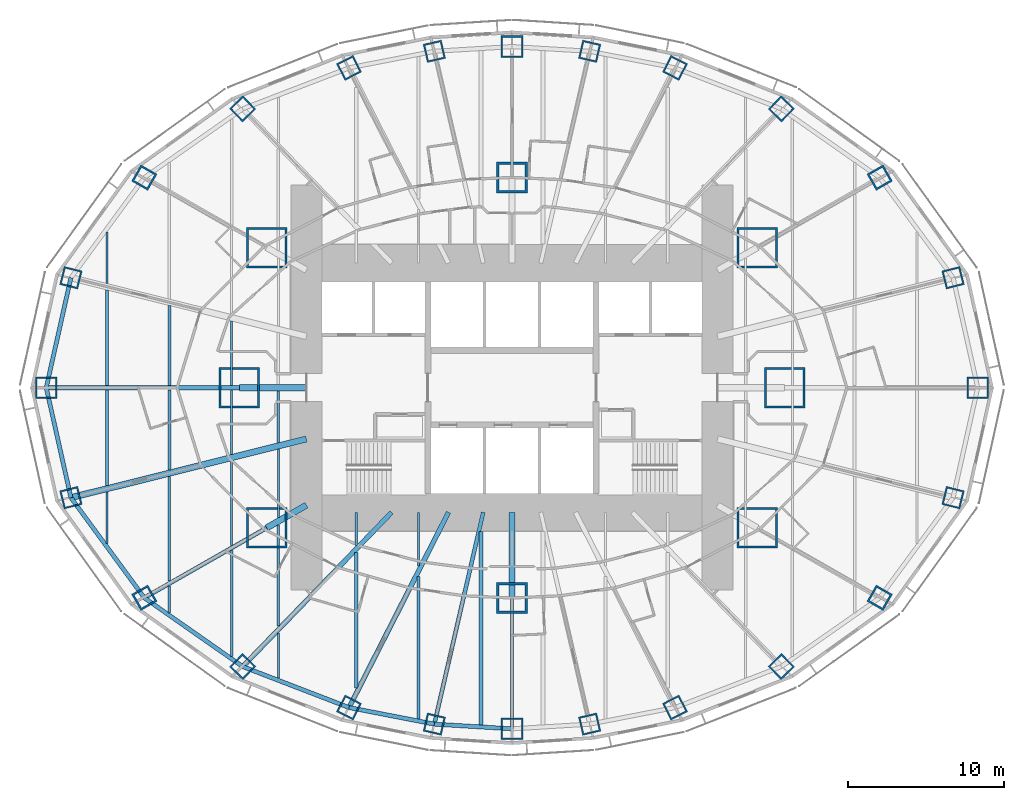
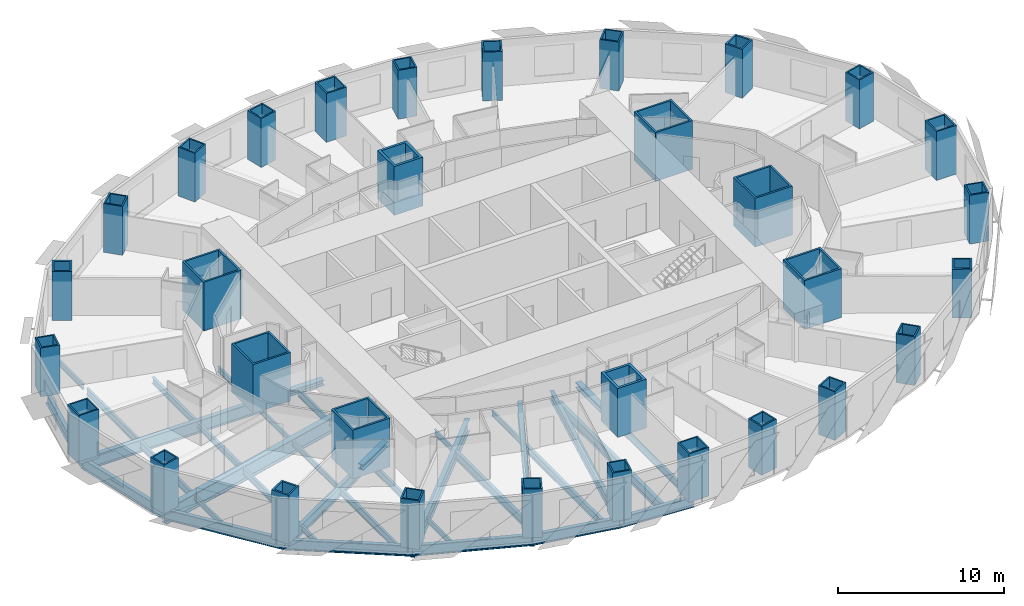
# One storey, part 1 of 15: 38 beams, 32 columns.
"""IFC4 building model written with IfcOpenShell, lengths in metres."""

from ifc_helpers import new_model, si_unit, direction, frame, origin, origin_2d, place, context, subcontext, project, spatial, rectangle, hollow_rectangle, i_section, extrude, material, material_profile, profile_set, type_object, element, save


model = new_model("IFC4")

# Units and contexts
model_context = context("Model", 3, precision=1e-05, world=origin(), true_north=direction((0.0, 1.0)))
body_context = subcontext(model_context, "Body", "Model", "MODEL_VIEW")
ifc_project = project(units=[si_unit("LENGTHUNIT", "METRE"), si_unit("AREAUNIT", "SQUARE_METRE"), si_unit("VOLUMEUNIT", "CUBIC_METRE"), si_unit("PLANEANGLEUNIT", "RADIAN"), si_unit("MASSUNIT", "GRAM", prefix="KILO")], contexts=[model_context])

# Site, building, storey
site_placement = place(None, origin())
site = spatial("IfcSite", under=ifc_project, at=site_placement, CompositionType="ELEMENT")
building_placement = place(site_placement, origin())
building = spatial("IfcBuilding", under=site, at=building_placement, Name="Lantaw Convention Tower", CompositionType="ELEMENT")
storey_placement = place(building_placement, frame((0.0, 0.0, 55.0)))
storey = spatial("IfcBuildingStorey", under=building, at=storey_placement, Name="L11", CompositionType="ELEMENT", Elevation=55.0)

# Columns
ifc_material_1 = material(Name="Steel EN 10025-3 S460N", Category="steel")
ifc_material_profile_1 = material_profile(ifc_material_1, hollow_rectangle(XDim=2.0, YDim=2.0, WallThickness=0.169921875, at=origin_2d()), Name="BOX2000X170")
ifc_material_2 = material(Name="Concrete C60/75", Category="concrete")
ifc_material_profile_2 = material_profile(ifc_material_2, rectangle(XDim=1.659912109375, YDim=1.659912109375, at=origin_2d()), Name="Concrete fill of BOX2000X170")
ifc_profile_set_1 = profile_set([ifc_material_profile_1, ifc_material_profile_2], Name="Steel EN 10025-3 S460N")
column_type_1 = type_object("IfcColumnType", Name="Column MC BOX2000X170", PredefinedType="COLUMN", material=ifc_profile_set_1)
for number, where, z_axis, x_axis, name in (
    (1, (0.0, 13.5, 0.0), (0.0, 0.0, 1.0), (1.0, 0.0, 0.0), "Mega column M3"),
    (2, (0.0, -13.5, 0.0), (0.0, 0.0, 1.0), (1.0, 0.0, 0.0), "Mega column M7"),
):
    element("IfcColumn", number, at=place(storey_placement, frame(where, z_axis=z_axis, x_axis=x_axis)), inside=storey, type_object=column_type_1, Name=name, PredefinedType="COLUMN", context=body_context, shape_type="SweptSolid", body=[
        extrude(hollow_rectangle(XDim=2.0, YDim=2.0, WallThickness=0.169921875, at=origin_2d()), origin(), (0.0, 0.0, 1.0), 3.60009765625),
    ])
ifc_material_profile_3 = material_profile(ifc_material_1, hollow_rectangle(XDim=2.60009765625, YDim=2.60009765625, WallThickness=0.1298828125, at=origin_2d()), Name="BOX2600X130")
ifc_material_profile_4 = material_profile(ifc_material_2, rectangle(XDim=2.340087890625, YDim=2.340087890625, at=origin_2d()), Name="Concrete fill of BOX2600X130")
ifc_profile_set_2 = profile_set([ifc_material_profile_3, ifc_material_profile_4], Name="Steel EN 10025-3 S460N")
column_type_2 = type_object("IfcColumnType", Name="Column MC BOX2600X130", PredefinedType="COLUMN", material=ifc_profile_set_2)
for number, where, z_axis, x_axis, name in (
    (3, (17.5, 0.0, 0.0), (0.0, 0.0, 1.0), (1.0, 0.0, 0.0), "Mega column M1"),
    (4, (15.75, 9.0, 0.0), (0.0, 0.0, 1.0), (1.0, 0.0, 0.0), "Mega column M2"),
    (5, (-15.75, 9.0, 0.0), (0.0, 0.0, 1.0), (1.0, 0.0, 0.0), "Mega column M4"),
    (6, (-17.5, 0.0, 0.0), (0.0, 0.0, 1.0), (1.0, 0.0, 0.0), "Mega column M5"),
    (7, (-15.75, -9.0, 0.0), (0.0, 0.0, 1.0), (1.0, 0.0, 0.0), "Mega column M6"),
    (8, (15.75, -9.0, 0.0), (0.0, 0.0, 1.0), (1.0, 0.0, 0.0), "Mega column M8"),
):
    element("IfcColumn", number, at=place(storey_placement, frame(where, z_axis=z_axis, x_axis=x_axis)), inside=storey, type_object=column_type_2, Name=name, PredefinedType="COLUMN", context=body_context, shape_type="SweptSolid", body=[
        extrude(hollow_rectangle(XDim=2.60009765625, YDim=2.60009765625, WallThickness=0.1298828125, at=origin_2d()), origin(), (0.0, 0.0, 1.0), 3.60009765625),
    ])
ifc_material_profile_5 = material_profile(ifc_material_1, hollow_rectangle(XDim=1.199951171875, YDim=1.199951171875, WallThickness=0.10009765625, at=origin_2d()), Name="BOX1200X100")
ifc_material_profile_6 = material_profile(ifc_material_2, rectangle(XDim=1.0, YDim=1.0, at=origin_2d()), Name="Concrete fill of BOX1200X100")
ifc_profile_set_3 = profile_set([ifc_material_profile_5, ifc_material_profile_6], Name="Steel EN 10025-3 S460N")
column_type_3 = type_object("IfcColumnType", Name="Column PC BOX1200X100", PredefinedType="COLUMN", material=ifc_profile_set_3)
for number, where, z_axis, x_axis, name in (
    (9, (28.31787109375, 7.060302734375, 0.0), (0.0, 0.0, 1.0), (0.970295726276, 0.2419218956, 0.0), "Perimeter column P2"),
    (10, (17.290771484375, 17.9052734375, 0.0), (0.0, 0.0, 1.0), (0.694658370459, 0.719339800339, 0.0), "Perimeter column P4"),
    (11, (10.462646484375, 20.533935546875, 0.0), (0.0, 0.0, 1.0), (0.45399049974, 0.891006524188, 0.0), "Perimeter column P5"),
    (12, (4.986328125, 21.59814453125, 0.0), (0.0, 0.0, 1.0), (0.224951054344, 0.974370064785, 0.0), "Perimeter column P6"),
    (13, (-4.986328125, 21.59814453125, 0.0), (0.0, 0.0, 1.0), (0.974370064785, 0.224951054344, 0.0), "Perimeter column P8"),
    (14, (-10.462646484375, 20.533935546875, 0.0), (0.0, 0.0, 1.0), (0.891006524188, 0.45399049974, 0.0), "Perimeter column P9"),
    (15, (-17.290771484375, 17.9052734375, 0.0), (0.0, 0.0, 1.0), (0.719339800339, 0.694658370459, 0.0), "Perimeter column P10"),
    (16, (-28.31787109375, 7.060302734375, 0.0), (0.0, 0.0, 1.0), (0.2419218956, 0.970295726276, 0.0), "Perimeter column P12"),
    (17, (-28.31787109375, -7.060302734375, 0.0), (0.0, 0.0, 1.0), (0.970295726276, 0.2419218956, 0.0), "Perimeter column P14"),
    (18, (-17.290771484375, -17.9052734375, 0.0), (0.0, 0.0, 1.0), (0.694658370459, 0.719339800339, 0.0), "Perimeter column P16"),
    (19, (-10.462646484375, -20.533935546875, 0.0), (0.0, 0.0, 1.0), (0.45399049974, 0.891006524188, 0.0), "Perimeter column P17"),
    (20, (-4.986328125, -21.59814453125, 0.0), (0.0, 0.0, 1.0), (0.224951054344, 0.974370064785, 0.0), "Perimeter column P18"),
    (21, (4.986328125, -21.59814453125, 0.0), (0.0, 0.0, 1.0), (0.974370064785, 0.224951054344, 0.0), "Perimeter column P20"),
    (22, (10.462646484375, -20.533935546875, 0.0), (0.0, 0.0, 1.0), (0.891006524188, 0.45399049974, 0.0), "Perimeter column P21"),
    (23, (17.290771484375, -17.9052734375, 0.0), (0.0, 0.0, 1.0), (0.719339800339, 0.694658370459, 0.0), "Perimeter column P22"),
    (24, (28.31787109375, -7.060302734375, 0.0), (0.0, 0.0, 1.0), (0.2419218956, 0.970295726276, 0.0), "Perimeter column P24"),
):
    element("IfcColumn", number, at=place(storey_placement, frame(where, z_axis=z_axis, x_axis=x_axis)), inside=storey, type_object=column_type_3, Name=name, PredefinedType="COLUMN", context=body_context, shape_type="SweptSolid", body=[
        extrude(hollow_rectangle(XDim=1.199951171875, YDim=1.199951171875, WallThickness=0.10009765625, at=origin_2d()), origin(), (0.0, 0.0, 1.0), 3.60009765625),
    ])
ifc_material_profile_7 = material_profile(ifc_material_1, hollow_rectangle(XDim=1.199951171875, YDim=1.199951171875, WallThickness=0.1201171875, at=origin_2d()), Name="BOX1200X120")
ifc_material_profile_8 = material_profile(ifc_material_2, rectangle(XDim=0.9599609375, YDim=0.9599609375, at=origin_2d()), Name="Concrete fill of BOX1200X120")
ifc_profile_set_4 = profile_set([ifc_material_profile_7, ifc_material_profile_8], Name="Steel EN 10025-3 S460N")
column_type_4 = type_object("IfcColumnType", Name="Column PC BOX1200X120", PredefinedType="COLUMN", material=ifc_profile_set_4)
for number, where, z_axis, x_axis, name in (
    (25, (23.60498046875, 13.488525390625, 0.0), (0.0, 0.0, 1.0), (0.86824298017, 0.496139221777, 0.0), "Perimeter column P3"),
    (26, (-23.60498046875, 13.488525390625, 0.0), (0.0, 0.0, 1.0), (0.496139221777, 0.86824298017, 0.0), "Perimeter column P11"),
    (27, (-23.60498046875, -13.488525390625, 0.0), (0.0, 0.0, 1.0), (0.86824298017, 0.496139221777, 0.0), "Perimeter column P15"),
    (28, (23.60498046875, -13.488525390625, 0.0), (0.0, 0.0, 1.0), (0.496139221777, 0.86824298017, 0.0), "Perimeter column P23"),
):
    element("IfcColumn", number, at=place(storey_placement, frame(where, z_axis=z_axis, x_axis=x_axis)), inside=storey, type_object=column_type_4, Name=name, PredefinedType="COLUMN", context=body_context, shape_type="SweptSolid", body=[
        extrude(hollow_rectangle(XDim=1.199951171875, YDim=1.199951171875, WallThickness=0.1201171875, at=origin_2d()), origin(), (0.0, 0.0, 1.0), 3.60009765625),
    ])
ifc_material_profile_9 = material_profile(ifc_material_1, hollow_rectangle(XDim=1.39990234375, YDim=1.39990234375, WallThickness=0.10009765625, at=origin_2d()), Name="BOX1400X100")
ifc_material_profile_10 = material_profile(ifc_material_2, rectangle(XDim=1.199951171875, YDim=1.199951171875, at=origin_2d()), Name="Concrete fill of BOX1400X100")
ifc_profile_set_5 = profile_set([ifc_material_profile_9, ifc_material_profile_10], Name="Steel EN 10025-3 S460N")
column_type_5 = type_object("IfcColumnType", Name="Column PC BOX1400X100", PredefinedType="COLUMN", material=ifc_profile_set_5)
for number, where, z_axis, x_axis, name in (
    (29, (29.89990234375, 0.0, 0.0), (0.0, 0.0, 1.0), (1.0, 0.0, 0.0), "Perimeter column P1"),
    (30, (0.0, 21.89990234375, 0.0), (0.0, 0.0, 1.0), (1.0, 0.0, 0.0), "Perimeter column P7"),
    (31, (-29.89990234375, 0.0, 0.0), (0.0, 0.0, 1.0), (1.0, 0.0, 0.0), "Perimeter column P13"),
    (32, (0.0, -21.89990234375, 0.0), (0.0, 0.0, 1.0), (1.0, 0.0, 0.0), "Perimeter column P19"),
):
    element("IfcColumn", number, at=place(storey_placement, frame(where, z_axis=z_axis, x_axis=x_axis)), inside=storey, type_object=column_type_5, Name=name, PredefinedType="COLUMN", context=body_context, shape_type="SweptSolid", body=[
        extrude(hollow_rectangle(XDim=1.39990234375, YDim=1.39990234375, WallThickness=0.10009765625, at=origin_2d()), origin(), (0.0, 0.0, 1.0), 3.60009765625),
    ])

# Beams
ifc_material_3 = material(Name="Steel ASTM A992", Category="steel")
ifc_material_profile_11 = material_profile(ifc_material_3, i_section(OverallWidth=0.2666015625, OverallDepth=0.76953125, WebThickness=0.015625, FlangeThickness=0.025390625, FilletRadius=0.0126953125, at=origin_2d()), Name="W30X132")
ifc_profile_set_6 = profile_set([ifc_material_profile_11], Name="Steel ASTM A992")
beam_type_1 = type_object("IfcBeamType", Name="Beam E W30X132", PredefinedType="SPANDREL", material=ifc_profile_set_6)
for number, where, z_axis, x_axis, name in (
    (33, (-28.31787109375, 7.060302734375, -0.534912109375), (-0.218652184873, -0.975802860239, 0.0), (0.975802860239, -0.218652184873, 0.0), "Edge beam 12"),
    (34, (-29.89990234375, 0.0, -0.534912109375), (0.218652184873, -0.975802860239, 0.0), (0.975802860239, 0.218652184873, 0.0), "Edge beam 13"),
):
    element("IfcBeam", number, at=place(storey_placement, frame(where, z_axis=z_axis, x_axis=x_axis)), inside=storey, type_object=beam_type_1, Name=name, PredefinedType="SPANDREL", context=body_context, shape_type="SweptSolid", body=[
        extrude(i_section(OverallWidth=0.2666015625, OverallDepth=0.76953125, WebThickness=0.015625, FlangeThickness=0.025390625, FilletRadius=0.0126953125, at=origin_2d()), origin(), (0.0, 0.0, 1.0), 7.2353515625),
    ])
beam_1_placement = place(storey_placement, frame((-28.31787109375, -7.060302734375, -0.534912109375), z_axis=(0.591270709086, -0.806473154281, 0.0), x_axis=(0.806473154281, 0.591270709086, 0.0)))
element("IfcBeam", 35, at=beam_1_placement, inside=storey, type_object=beam_type_1, Name="Edge beam 14", PredefinedType="SPANDREL", context=body_context, shape_type="SweptSolid", body=[
    extrude(i_section(OverallWidth=0.2666015625, OverallDepth=0.76953125, WebThickness=0.015625, FlangeThickness=0.025390625, FilletRadius=0.0126953125, at=origin_2d()), origin(), (0.0, 0.0, 1.0), 7.970703125),
])
beam_2_placement = place(storey_placement, frame((-23.60498046875, -13.488525390625, -0.534912109375), z_axis=(0.81942686407, -0.57318375277, 0.0), x_axis=(0.57318375277, 0.81942686407, 0.0)))
element("IfcBeam", 36, at=beam_2_placement, inside=storey, type_object=beam_type_1, Name="Edge beam 15", PredefinedType="SPANDREL", context=body_context, shape_type="SweptSolid", body=[
    extrude(i_section(OverallWidth=0.2666015625, OverallDepth=0.76953125, WebThickness=0.015625, FlangeThickness=0.025390625, FilletRadius=0.0126953125, at=origin_2d()), origin(), (0.0, 0.0, 1.0), 7.70556640625),
])
beam_3_placement = place(storey_placement, frame((-17.290771484375, -17.9052734375, -0.534912109375), z_axis=(0.933232900641, -0.359271976588, 0.0), x_axis=(0.359271976588, 0.933232900641, 0.0)))
element("IfcBeam", 37, at=beam_3_placement, inside=storey, type_object=beam_type_1, Name="Edge beam 16", PredefinedType="SPANDREL", context=body_context, shape_type="SweptSolid", body=[
    extrude(i_section(OverallWidth=0.2666015625, OverallDepth=0.76953125, WebThickness=0.015625, FlangeThickness=0.025390625, FilletRadius=0.0126953125, at=origin_2d()), origin(), (0.0, 0.0, 1.0), 7.316650390625),
])
beam_4_placement = place(storey_placement, frame((-10.462646484375, -20.533935546875, -0.534912109375), z_axis=(0.981636565323, -0.190760723474, 0.0), x_axis=(0.190760723474, 0.981636565323, 0.0)))
element("IfcBeam", 38, at=beam_4_placement, inside=storey, type_object=beam_type_1, Name="Edge beam 17", PredefinedType="SPANDREL", context=body_context, shape_type="SweptSolid", body=[
    extrude(i_section(OverallWidth=0.2666015625, OverallDepth=0.76953125, WebThickness=0.015625, FlangeThickness=0.025390625, FilletRadius=0.0126953125, at=origin_2d()), origin(), (0.0, 0.0, 1.0), 5.578857421875),
])
beam_5_placement = place(storey_placement, frame((-4.986328125, -21.59814453125, -0.534912109375), z_axis=(0.998173858406, -0.060406526096, 0.0), x_axis=(0.060406526096, 0.998173858406, 0.0)))
element("IfcBeam", 39, at=beam_5_placement, inside=storey, type_object=beam_type_1, Name="Edge beam 18", PredefinedType="SPANDREL", context=body_context, shape_type="SweptSolid", body=[
    extrude(i_section(OverallWidth=0.2666015625, OverallDepth=0.76953125, WebThickness=0.015625, FlangeThickness=0.025390625, FilletRadius=0.0126953125, at=origin_2d()), origin(), (0.0, 0.0, 1.0), 4.995361328125),
])
ifc_material_profile_12 = material_profile(ifc_material_3, i_section(OverallWidth=0.1650390625, OverallDepth=0.52587890625, WebThickness=0.0087890625, FlangeThickness=0.011474609375, FilletRadius=0.0126953125, at=origin_2d()), Name="W21X44")
ifc_profile_set_7 = profile_set([ifc_material_profile_12], Name="Steel ASTM A992")
beam_type_2 = type_object("IfcBeamType", Name="Beam G W21X44", PredefinedType="BEAM", material=ifc_profile_set_7)
beam_6_placement = place(storey_placement, frame((0.0, -13.5, -0.412841796875), z_axis=(0.0, -1.0, 0.0), x_axis=(1.0, 0.0, 0.0)))
element("IfcBeam", 40, at=beam_6_placement, inside=storey, type_object=beam_type_2, Name="Floor girder on ray 19", PredefinedType="BEAM", context=body_context, shape_type="SweptSolid", body=[
    extrude(i_section(OverallWidth=0.1650390625, OverallDepth=0.52587890625, WebThickness=0.0087890625, FlangeThickness=0.011474609375, FilletRadius=0.0126953125, at=origin_2d()), origin(), (0.0, 0.0, 1.0), 8.39990234375),
])
ifc_material_profile_13 = material_profile(ifc_material_3, i_section(OverallWidth=0.25390625, OverallDepth=0.683349609375, WebThickness=0.012451171875, FlangeThickness=0.01904296875, FilletRadius=0.01513671875, at=origin_2d()), Name="W27X94")
ifc_profile_set_8 = profile_set([ifc_material_profile_13], Name="Steel ASTM A992")
beam_type_3 = type_object("IfcBeamType", Name="Beam G W27X94", PredefinedType="BEAM", material=ifc_profile_set_8)
beam_7_placement = place(storey_placement, frame((-1.846923828125, -8.0, -0.49169921875), z_axis=(-0.224952773175, -0.97436966796, 0.0), x_axis=(0.97436966796, -0.224952773175, 0.0)))
element("IfcBeam", 41, at=beam_7_placement, inside=storey, type_object=beam_type_3, Name="Floor girder on ray 18", PredefinedType="BEAM", context=body_context, shape_type="SweptSolid", body=[
    extrude(i_section(OverallWidth=0.25390625, OverallDepth=0.683349609375, WebThickness=0.012451171875, FlangeThickness=0.01904296875, FilletRadius=0.01513671875, at=origin_2d()), origin(), (0.0, 0.0, 1.0), 13.955810546875),
])
ifc_material_profile_14 = material_profile(ifc_material_3, i_section(OverallWidth=0.2666015625, OverallDepth=0.7568359375, WebThickness=0.013916015625, FlangeThickness=0.019287109375, FilletRadius=0.0126953125, at=origin_2d()), Name="W30X108")
ifc_profile_set_9 = profile_set([ifc_material_profile_14], Name="Steel ASTM A992")
beam_type_4 = type_object("IfcBeamType", Name="Beam G W30X108", PredefinedType="BEAM", material=ifc_profile_set_9)
beam_8_placement = place(storey_placement, frame((-15.75, -9.0, -0.528564453125), z_axis=(-0.868244802791, -0.496136032179, 0.0), x_axis=(0.496136032179, -0.868244802791, 0.0)))
element("IfcBeam", 42, at=beam_8_placement, inside=storey, type_object=beam_type_4, Name="Floor girder on ray 15", PredefinedType="BEAM", context=body_context, shape_type="SweptSolid", body=[
    extrude(i_section(OverallWidth=0.2666015625, OverallDepth=0.7568359375, WebThickness=0.013916015625, FlangeThickness=0.019287109375, FilletRadius=0.0126953125, at=origin_2d()), origin(), (0.0, 0.0, 1.0), 9.046875),
])
ifc_material_profile_15 = material_profile(ifc_material_3, i_section(OverallWidth=0.307373046875, OverallDepth=0.922119140625, WebThickness=0.018310546875, FlangeThickness=0.030029296875, FilletRadius=0.0126953125, at=origin_2d()), Name="W36X182")
ifc_profile_set_10 = profile_set([ifc_material_profile_15], Name="Steel ASTM A992")
beam_type_5 = type_object("IfcBeamType", Name="Beam G W36X182", PredefinedType="BEAM", material=ifc_profile_set_10)
beam_9_placement = place(storey_placement, frame((-17.5, 0.0, -0.611083984375), z_axis=(-1.0, 0.0, 0.0), x_axis=(0.0, -1.0, 0.0)))
element("IfcBeam", 43, at=beam_9_placement, inside=storey, type_object=beam_type_5, Name="Floor girder on ray 13", PredefinedType="BEAM", context=body_context, shape_type="SweptSolid", body=[
    extrude(i_section(OverallWidth=0.307373046875, OverallDepth=0.922119140625, WebThickness=0.018310546875, FlangeThickness=0.030029296875, FilletRadius=0.0126953125, at=origin_2d()), origin(), (0.0, 0.0, 1.0), 12.39990234375),
])
beam_10_placement = place(storey_placement, frame((-7.7255859375, -8.0, -0.611083984375), z_axis=(-0.694649884291, -0.719347995239, 0.0), x_axis=(0.719347995239, -0.694649884291, 0.0)))
element("IfcBeam", 44, at=beam_10_placement, inside=storey, type_object=beam_type_5, Name="Floor girder on ray 16", PredefinedType="BEAM", context=body_context, shape_type="SweptSolid", body=[
    extrude(i_section(OverallWidth=0.307373046875, OverallDepth=0.922119140625, WebThickness=0.018310546875, FlangeThickness=0.030029296875, FilletRadius=0.0126953125, at=origin_2d()), origin(), (0.0, 0.0, 1.0), 13.769775390625),
])
beam_11_placement = place(storey_placement, frame((-4.076171875, -8.0, -0.611083984375), z_axis=(-0.453997016122, -0.891003203896, 0.0), x_axis=(0.891003203896, -0.453997016122, 0.0)))
element("IfcBeam", 45, at=beam_11_placement, inside=storey, type_object=beam_type_5, Name="Floor girder on ray 17", PredefinedType="BEAM", context=body_context, shape_type="SweptSolid", body=[
    extrude(i_section(OverallWidth=0.307373046875, OverallDepth=0.922119140625, WebThickness=0.018310546875, FlangeThickness=0.030029296875, FilletRadius=0.0126953125, at=origin_2d()), origin(), (0.0, 0.0, 1.0), 14.067138671875),
])
ifc_material_profile_16 = material_profile(ifc_material_3, i_section(OverallWidth=0.40380859375, OverallDepth=1.11767578125, WebThickness=0.026123046875, FlangeThickness=0.044921875, FilletRadius=0.02001953125, at=origin_2d()), Name="W44X335")
ifc_profile_set_11 = profile_set([ifc_material_profile_16], Name="Steel ASTM A992")
beam_type_6 = type_object("IfcBeamType", Name="Beam G W44X335", PredefinedType="BEAM", material=ifc_profile_set_11)
beam_12_placement = place(storey_placement, frame((-13.199951171875, -3.291015625, -0.708740234375), z_axis=(-0.970296233567, -0.241919860957, 0.0), x_axis=(0.241919860957, -0.970296233567, 0.0)))
element("IfcBeam", 46, at=beam_12_placement, inside=storey, type_object=beam_type_6, Name="Floor girder on ray 14", PredefinedType="BEAM", context=body_context, shape_type="SweptSolid", body=[
    extrude(i_section(OverallWidth=0.40380859375, OverallDepth=1.11767578125, WebThickness=0.026123046875, FlangeThickness=0.044921875, FilletRadius=0.02001953125, at=origin_2d()), origin(), (0.0, 0.0, 1.0), 15.580810546875),
])
ifc_material_profile_17 = material_profile(ifc_material_3, i_section(OverallWidth=0.40380859375, OverallDepth=0.406494140625, WebThickness=0.027099609375, FlangeThickness=0.043701171875, FilletRadius=0.01513671875, at=origin_2d()), Name="W14X233")
ifc_profile_set_12 = profile_set([ifc_material_profile_17], Name="Steel ASTM A992")
beam_type_7 = type_object("IfcBeamType", Name="Beam GM W14X233", PredefinedType="BEAM", material=ifc_profile_set_12)
beam_13_placement = place(storey_placement, frame((-13.199951171875, 0.0, -0.353271484375), z_axis=(-1.0, 0.0, 0.0), x_axis=(0.0, -1.0, 0.0)))
element("IfcBeam", 47, at=beam_13_placement, inside=storey, type_object=beam_type_7, Name="Core link beam on ray 13", PredefinedType="BEAM", context=body_context, shape_type="SweptSolid", body=[
    extrude(i_section(OverallWidth=0.40380859375, OverallDepth=0.406494140625, WebThickness=0.027099609375, FlangeThickness=0.043701171875, FilletRadius=0.01513671875, at=origin_2d()), origin(), (0.0, 0.0, 1.0), 4.300048828125),
])
beam_14_placement = place(storey_placement, frame((-13.199951171875, -7.54296875, -0.353271484375), z_axis=(-0.868263603466, -0.496103129295, 0.0), x_axis=(0.496103129295, -0.868263603466, 0.0)))
element("IfcBeam", 48, at=beam_14_placement, inside=storey, type_object=beam_type_7, Name="Core link beam on ray 15", PredefinedType="BEAM", context=body_context, shape_type="SweptSolid", body=[
    extrude(i_section(OverallWidth=0.40380859375, OverallDepth=0.406494140625, WebThickness=0.027099609375, FlangeThickness=0.043701171875, FilletRadius=0.01513671875, at=origin_2d()), origin(), (0.0, 0.0, 1.0), 2.93701171875),
])
beam_15_placement = place(storey_placement, frame((0.0, -8.0, -0.353271484375), z_axis=(0.0, -1.0, 0.0), x_axis=(1.0, 0.0, 0.0)))
element("IfcBeam", 49, at=beam_15_placement, inside=storey, type_object=beam_type_7, Name="Core link beam on ray 19", PredefinedType="BEAM", context=body_context, shape_type="SweptSolid", body=[
    extrude(i_section(OverallWidth=0.40380859375, OverallDepth=0.406494140625, WebThickness=0.027099609375, FlangeThickness=0.043701171875, FilletRadius=0.01513671875, at=origin_2d()), origin(), (0.0, 0.0, 1.0), 5.5),
])
ifc_material_profile_18 = material_profile(ifc_material_3, i_section(OverallWidth=0.140380859375, OverallDepth=0.40380859375, WebThickness=0.007080078125, FlangeThickness=0.01123046875, FilletRadius=0.01025390625, at=origin_2d()), Name="W16X31")
ifc_profile_set_13 = profile_set([ifc_material_profile_18], Name="Steel ASTM A992")
beam_type_8 = type_object("IfcBeamType", Name="Beam J W16X31", PredefinedType="JOIST", material=ifc_profile_set_13)
for number, where, z_axis, x_axis, name in (
    (50, (-26.0, -9.996337890625, -0.35205078125), (0.0, 1.0, 0.0), (-1.0, 0.0, 0.0), "Floor joist"),
    (51, (-26.0, 6.690673828125, -0.35205078125), (0.0, 1.0, 0.0), (-1.0, 0.0, 0.0), "Floor joist"),
):
    element("IfcBeam", number, at=place(storey_placement, frame(where, z_axis=z_axis, x_axis=x_axis)), inside=storey, type_object=beam_type_8, Name=name, PredefinedType="JOIST", context=body_context, shape_type="SweptSolid", body=[
        extrude(i_section(OverallWidth=0.140380859375, OverallDepth=0.40380859375, WebThickness=0.007080078125, FlangeThickness=0.01123046875, FilletRadius=0.01025390625, at=origin_2d()), origin(), (0.0, 0.0, 1.0), 3.3056640625),
    ])
beam_16_placement = place(storey_placement, frame((-22.0, -14.448486328125, -0.35205078125), z_axis=(0.0, 1.0, 0.0), x_axis=(-1.0, 0.0, 0.0)))
element("IfcBeam", 52, at=beam_16_placement, inside=storey, type_object=beam_type_8, Name="Floor joist", PredefinedType="JOIST", context=body_context, shape_type="SweptSolid", body=[
    extrude(i_section(OverallWidth=0.140380859375, OverallDepth=0.40380859375, WebThickness=0.007080078125, FlangeThickness=0.01123046875, FilletRadius=0.01025390625, at=origin_2d()), origin(), (0.0, 0.0, 1.0), 1.723388671875),
])
beam_17_placement = place(storey_placement, frame((-18.0, -10.132080078125, -0.35205078125), z_axis=(0.0, 1.0, 0.0), x_axis=(-1.0, 0.0, 0.0)))
element("IfcBeam", 53, at=beam_17_placement, inside=storey, type_object=beam_type_8, Name="Floor joist", PredefinedType="JOIST", context=body_context, shape_type="SweptSolid", body=[
    extrude(i_section(OverallWidth=0.140380859375, OverallDepth=0.40380859375, WebThickness=0.007080078125, FlangeThickness=0.01123046875, FilletRadius=0.01025390625, at=origin_2d()), origin(), (0.0, 0.0, 1.0), 5.43603515625),
])
for number, where, z_axis, x_axis, name in (
    (54, (-18.0, -4.27978515625, -0.35205078125), (0.0, 1.0, 0.0), (-1.0, 0.0, 0.0), "Floor joist"),
    (55, (-18.0, 0.153564453125, -0.35205078125), (0.0, 1.0, 0.0), (-1.0, 0.0, 0.0), "Floor joist"),
):
    element("IfcBeam", number, at=place(storey_placement, frame(where, z_axis=z_axis, x_axis=x_axis)), inside=storey, type_object=beam_type_8, Name=name, PredefinedType="JOIST", context=body_context, shape_type="SweptSolid", body=[
        extrude(i_section(OverallWidth=0.140380859375, OverallDepth=0.40380859375, WebThickness=0.007080078125, FlangeThickness=0.01123046875, FilletRadius=0.01025390625, at=origin_2d()), origin(), (0.0, 0.0, 1.0), 4.126220703125),
    ])
beam_18_placement = place(storey_placement, frame((-15.0, -18.644287109375, -0.35205078125), z_axis=(0.0, 1.0, 0.0), x_axis=(-1.0, 0.0, 0.0)))
element("IfcBeam", 56, at=beam_18_placement, inside=storey, type_object=beam_type_8, Name="Floor joist", PredefinedType="JOIST", context=body_context, shape_type="SweptSolid", body=[
    extrude(i_section(OverallWidth=0.140380859375, OverallDepth=0.40380859375, WebThickness=0.007080078125, FlangeThickness=0.01123046875, FilletRadius=0.01025390625, at=origin_2d()), origin(), (0.0, 0.0, 1.0), 2.89013671875),
])
beam_19_placement = place(storey_placement, frame((-15.0, -8.3388671875, -0.35205078125), z_axis=(0.0, 1.0, 0.0), x_axis=(-1.0, 0.0, 0.0)))
element("IfcBeam", 57, at=beam_19_placement, inside=storey, type_object=beam_type_8, Name="Floor joist", PredefinedType="JOIST", context=body_context, shape_type="SweptSolid", body=[
    extrude(i_section(OverallWidth=0.140380859375, OverallDepth=0.40380859375, WebThickness=0.007080078125, FlangeThickness=0.01123046875, FilletRadius=0.01025390625, at=origin_2d()), origin(), (0.0, 0.0, 1.0), 4.390869140625),
])
beam_20_placement = place(storey_placement, frame((-10.0, -10.134033203125, -0.35205078125), z_axis=(0.0, 1.0, 0.0), x_axis=(-1.0, 0.0, 0.0)))
element("IfcBeam", 58, at=beam_20_placement, inside=storey, type_object=beam_type_8, Name="Floor joist", PredefinedType="JOIST", context=body_context, shape_type="SweptSolid", body=[
    extrude(i_section(OverallWidth=0.140380859375, OverallDepth=0.40380859375, WebThickness=0.007080078125, FlangeThickness=0.01123046875, FilletRadius=0.01025390625, at=origin_2d()), origin(), (0.0, 0.0, 1.0), 2.134033203125),
])
beam_21_placement = place(storey_placement, frame((-6.0, -11.437255859375, -0.35205078125), z_axis=(0.0, 1.0, 0.0), x_axis=(-1.0, 0.0, 0.0)))
element("IfcBeam", 59, at=beam_21_placement, inside=storey, type_object=beam_type_8, Name="Floor joist", PredefinedType="JOIST", context=body_context, shape_type="SweptSolid", body=[
    extrude(i_section(OverallWidth=0.140380859375, OverallDepth=0.40380859375, WebThickness=0.007080078125, FlangeThickness=0.01123046875, FilletRadius=0.01025390625, at=origin_2d()), origin(), (0.0, 0.0, 1.0), 3.437255859375),
])
ifc_material_profile_19 = material_profile(ifc_material_3, i_section(OverallWidth=0.1904296875, OverallDepth=0.457275390625, WebThickness=0.009033203125, FlangeThickness=0.014404296875, FilletRadius=0.01025390625, at=origin_2d()), Name="W18X50")
ifc_profile_set_14 = profile_set([ifc_material_profile_19], Name="Steel ASTM A992")
beam_type_9 = type_object("IfcBeamType", Name="Beam J W18X50", PredefinedType="JOIST", material=ifc_profile_set_14)
for number, where, z_axis, x_axis, name in (
    (60, (-22.0, -5.277099609375, -0.378662109375), (0.0, 1.0, 0.0), (-1.0, 0.0, 0.0), "Floor joist"),
    (61, (-22.0, 0.153564453125, -0.378662109375), (0.0, 1.0, 0.0), (-1.0, 0.0, 0.0), "Floor joist"),
):
    element("IfcBeam", number, at=place(storey_placement, frame(where, z_axis=z_axis, x_axis=x_axis)), inside=storey, type_object=beam_type_9, Name=name, PredefinedType="JOIST", context=body_context, shape_type="SweptSolid", body=[
        extrude(i_section(OverallWidth=0.1904296875, OverallDepth=0.457275390625, WebThickness=0.009033203125, FlangeThickness=0.014404296875, FilletRadius=0.01025390625, at=origin_2d()), origin(), (0.0, 0.0, 1.0), 5.12353515625),
    ])
ifc_material_profile_20 = material_profile(ifc_material_3, i_section(OverallWidth=0.1650390625, OverallDepth=0.52587890625, WebThickness=0.0087890625, FlangeThickness=0.011474609375, FilletRadius=0.0126953125, at=origin_2d()), Name="W21X44")
ifc_profile_set_15 = profile_set([ifc_material_profile_20], Name="Steel ASTM A992")
beam_type_10 = type_object("IfcBeamType", Name="Beam J W21X44", PredefinedType="JOIST", material=ifc_profile_set_15)
beam_22_placement = place(storey_placement, frame((-22.0, -12.41796875, -0.412841796875), z_axis=(0.0, 1.0, 0.0), x_axis=(-1.0, 0.0, 0.0)))
element("IfcBeam", 62, at=beam_22_placement, inside=storey, type_object=beam_type_10, Name="Floor joist", PredefinedType="JOIST", context=body_context, shape_type="SweptSolid", body=[
    extrude(i_section(OverallWidth=0.1650390625, OverallDepth=0.52587890625, WebThickness=0.0087890625, FlangeThickness=0.011474609375, FilletRadius=0.0126953125, at=origin_2d()), origin(), (0.0, 0.0, 1.0), 6.724609375),
])
beam_23_placement = place(storey_placement, frame((-18.0, -17.246337890625, -0.412841796875), z_axis=(0.0, 1.0, 0.0), x_axis=(-1.0, 0.0, 0.0)))
element("IfcBeam", 63, at=beam_23_placement, inside=storey, type_object=beam_type_10, Name="Floor joist", PredefinedType="JOIST", context=body_context, shape_type="SweptSolid", body=[
    extrude(i_section(OverallWidth=0.1650390625, OverallDepth=0.52587890625, WebThickness=0.0087890625, FlangeThickness=0.011474609375, FilletRadius=0.0126953125, at=origin_2d()), origin(), (0.0, 0.0, 1.0), 6.80712890625),
])
beam_24_placement = place(storey_placement, frame((-15.0, -15.311767578125, -0.412841796875), z_axis=(0.0, 1.0, 0.0), x_axis=(-1.0, 0.0, 0.0)))
element("IfcBeam", 64, at=beam_24_placement, inside=storey, type_object=beam_type_10, Name="Floor joist", PredefinedType="JOIST", context=body_context, shape_type="SweptSolid", body=[
    extrude(i_section(OverallWidth=0.1650390625, OverallDepth=0.52587890625, WebThickness=0.0087890625, FlangeThickness=0.011474609375, FilletRadius=0.0126953125, at=origin_2d()), origin(), (0.0, 0.0, 1.0), 6.5078125),
])
ifc_material_profile_21 = material_profile(ifc_material_3, i_section(OverallWidth=0.165771484375, OverallDepth=0.5283203125, WebThickness=0.009765625, FlangeThickness=0.013671875, FilletRadius=0.012939453125, at=origin_2d()), Name="W21X50")
ifc_profile_set_16 = profile_set([ifc_material_profile_21], Name="Steel ASTM A992")
beam_type_11 = type_object("IfcBeamType", Name="Beam J W21X50", PredefinedType="JOIST", material=ifc_profile_set_16)
for number, where, z_axis, x_axis, name in (
    (65, (-26.0, -6.2744140625, -0.4140625), (0.0, 1.0, 0.0), (-1.0, 0.0, 0.0), "Floor joist"),
    (66, (-26.0, 0.153564453125, -0.4140625), (0.0, 1.0, 0.0), (-1.0, 0.0, 0.0), "Floor joist"),
):
    element("IfcBeam", number, at=place(storey_placement, frame(where, z_axis=z_axis, x_axis=x_axis)), inside=storey, type_object=beam_type_11, Name=name, PredefinedType="JOIST", context=body_context, shape_type="SweptSolid", body=[
        extrude(i_section(OverallWidth=0.165771484375, OverallDepth=0.5283203125, WebThickness=0.009765625, FlangeThickness=0.013671875, FilletRadius=0.012939453125, at=origin_2d()), origin(), (0.0, 0.0, 1.0), 6.120849609375),
    ])
beam_25_placement = place(storey_placement, frame((-15.0, -3.53173828125, -0.4140625), z_axis=(0.0, 1.0, 0.0), x_axis=(-1.0, 0.0, 0.0)))
element("IfcBeam", 67, at=beam_25_placement, inside=storey, type_object=beam_type_11, Name="Floor joist", PredefinedType="JOIST", context=body_context, shape_type="SweptSolid", body=[
    extrude(i_section(OverallWidth=0.165771484375, OverallDepth=0.5283203125, WebThickness=0.009765625, FlangeThickness=0.013671875, FilletRadius=0.012939453125, at=origin_2d()), origin(), (0.0, 0.0, 1.0), 3.329833984375),
])
ifc_material_profile_22 = material_profile(ifc_material_3, i_section(OverallWidth=0.2099609375, OverallDepth=0.535888671875, WebThickness=0.010986328125, FlangeThickness=0.017333984375, FilletRadius=0.012939453125, at=origin_2d()), Name="W21X68")
ifc_profile_set_17 = profile_set([ifc_material_profile_22], Name="Steel ASTM A992")
beam_type_12 = type_object("IfcBeamType", Name="Beam J W21X68", PredefinedType="JOIST", material=ifc_profile_set_17)
beam_26_placement = place(storey_placement, frame((-6.0, -21.26513671875, -0.41796875), z_axis=(0.0, 1.0, 0.0), x_axis=(-1.0, 0.0, 0.0)))
element("IfcBeam", 68, at=beam_26_placement, inside=storey, type_object=beam_type_12, Name="Floor joist", PredefinedType="JOIST", context=body_context, shape_type="SweptSolid", body=[
    extrude(i_section(OverallWidth=0.2099609375, OverallDepth=0.535888671875, WebThickness=0.010986328125, FlangeThickness=0.017333984375, FilletRadius=0.012939453125, at=origin_2d()), origin(), (0.0, 0.0, 1.0), 9.15087890625),
])
ifc_material_profile_23 = material_profile(ifc_material_3, i_section(OverallWidth=0.227783203125, OverallDepth=0.60205078125, WebThickness=0.010498046875, FlangeThickness=0.014892578125, FilletRadius=0.012939453125, at=origin_2d()), Name="W24X68")
ifc_profile_set_18 = profile_set([ifc_material_profile_23], Name="Steel ASTM A992")
beam_type_13 = type_object("IfcBeamType", Name="Beam J W24X68", PredefinedType="JOIST", material=ifc_profile_set_18)
beam_27_placement = place(storey_placement, frame((-10.0, -19.28759765625, -0.450927734375), z_axis=(0.0, 1.0, 0.0), x_axis=(-1.0, 0.0, 0.0)))
element("IfcBeam", 69, at=beam_27_placement, inside=storey, type_object=beam_type_13, Name="Floor joist", PredefinedType="JOIST", context=body_context, shape_type="SweptSolid", body=[
    extrude(i_section(OverallWidth=0.227783203125, OverallDepth=0.60205078125, WebThickness=0.010498046875, FlangeThickness=0.014892578125, FilletRadius=0.012939453125, at=origin_2d()), origin(), (0.0, 0.0, 1.0), 8.711181640625),
])
ifc_material_profile_24 = material_profile(ifc_material_3, i_section(OverallWidth=0.25390625, OverallDepth=0.700927734375, WebThickness=0.015380859375, FlangeThickness=0.02783203125, FilletRadius=0.01513671875, at=origin_2d()), Name="W27X129")
ifc_profile_set_19 = profile_set([ifc_material_profile_24], Name="Steel ASTM A992")
beam_type_14 = type_object("IfcBeamType", Name="Beam J W27X129", PredefinedType="JOIST", material=ifc_profile_set_19)
beam_28_placement = place(storey_placement, frame((-2.0, -21.645263671875, -0.50048828125), z_axis=(0.0, 1.0, 0.0), x_axis=(-1.0, 0.0, 0.0)))
element("IfcBeam", 70, at=beam_28_placement, inside=storey, type_object=beam_type_14, Name="Floor joist", PredefinedType="JOIST", context=body_context, shape_type="SweptSolid", body=[
    extrude(i_section(OverallWidth=0.25390625, OverallDepth=0.700927734375, WebThickness=0.015380859375, FlangeThickness=0.02783203125, FilletRadius=0.01513671875, at=origin_2d()), origin(), (0.0, 0.0, 1.0), 12.417724609375),
])

save(model, "model.ifc")
